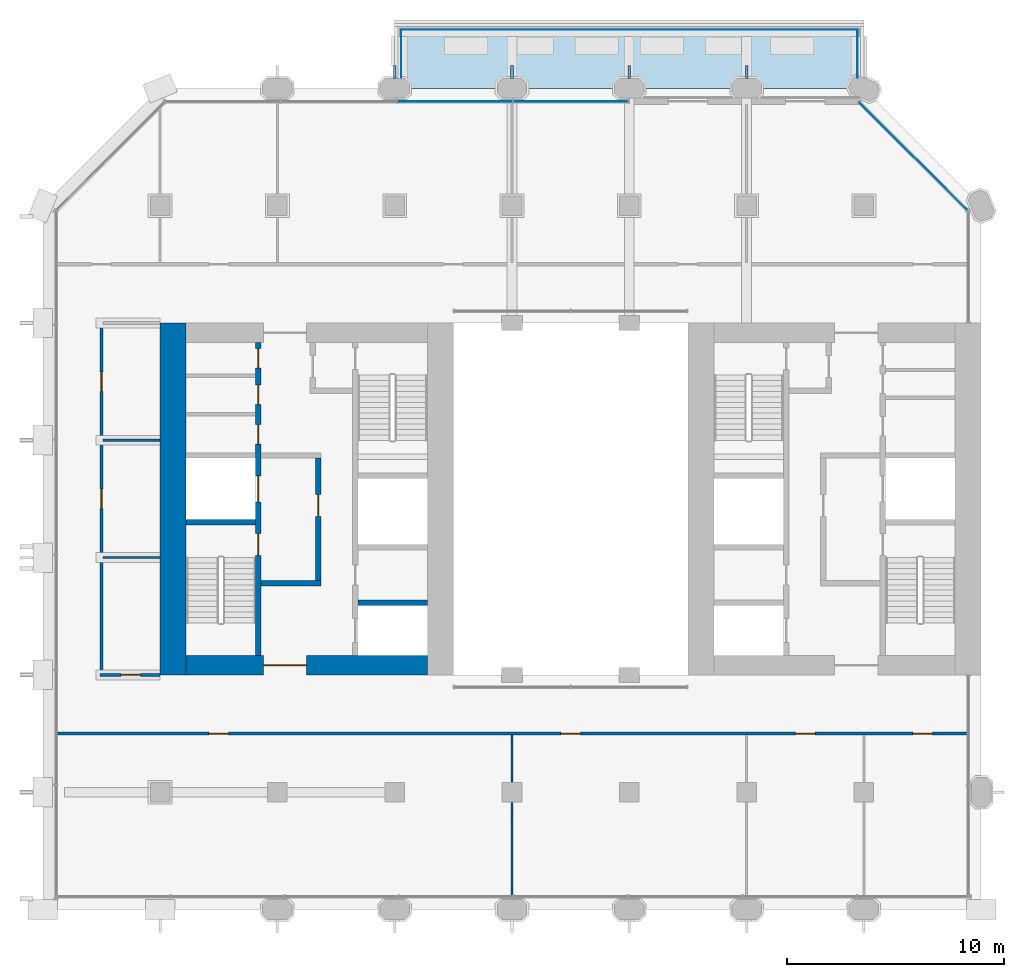
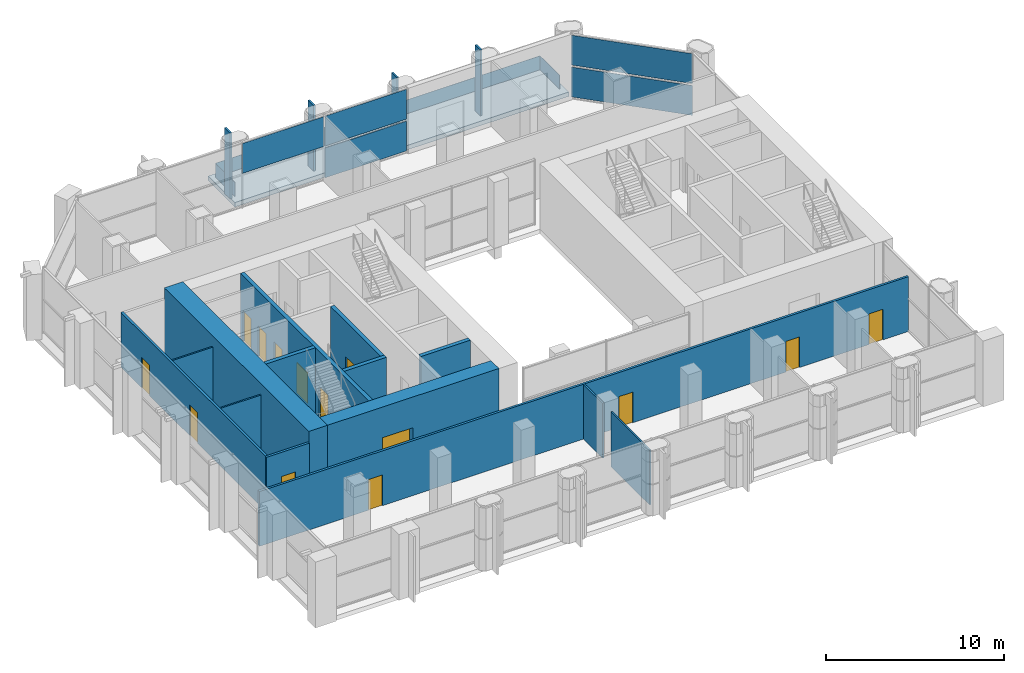
# One storey, part 10 of 15: 14 doors, 14 walls, 12 plates, 1 slab, 14 openings, 2 elements without a shape of their own.
"""IFC4 building model written with IfcOpenShell, lengths in metres."""

from ifc_helpers import new_model, si_unit, direction, frame, frame_2d, origin, origin_2d, place, context, subcontext, project, spatial, polyline, rectangle, outline, extrude, material, layer, layer_set, type_object, element, fill, aggregate, save


model = new_model("IFC4")

# Units and contexts
model_context = context("Model", 3, precision=1e-05, world=origin(), true_north=direction((0.0, 1.0)))
body_context = subcontext(model_context, "Body", "Model", "MODEL_VIEW")
ifc_project = project(units=[si_unit("LENGTHUNIT", "METRE"), si_unit("AREAUNIT", "SQUARE_METRE"), si_unit("VOLUMEUNIT", "CUBIC_METRE"), si_unit("PLANEANGLEUNIT", "RADIAN"), si_unit("MASSUNIT", "GRAM", prefix="KILO")], contexts=[model_context])

# Site, building, storey
site_placement = place(None, origin())
site = spatial("IfcSite", under=ifc_project, at=site_placement, CompositionType="ELEMENT")
building_placement = place(site_placement, origin())
building = spatial("IfcBuilding", under=site, at=building_placement, Name="Tabaq Tower and Sports Hall", CompositionType="ELEMENT")
storey_placement = place(building_placement, frame((0.0, 0.0, 148.0)))
storey = spatial("IfcBuildingStorey", under=building, at=storey_placement, Name="L34", CompositionType="ELEMENT", Elevation=148.0)

# Curtain wall, plates
ifc_material_1 = material(Name="Aluminium alloy 6063-T6 framed glazing", Category="aluminium")
curtain_wall_type = type_object("IfcCurtainWallType", Name="CW3 curtain wall", PredefinedType="USERDEFINED", material=ifc_material_1)
curtain_wall_1_placement = place(storey_placement, origin())
curtain_wall_1 = element("IfcCurtainWall", 1, at=curtain_wall_1_placement, inside=storey, type_object=curtain_wall_type, Name="Garden Floor Wall L34 NE", ObjectType="GARDEN FLOOR WALL", PredefinedType="USERDEFINED")
ifc_material_2 = material(Name="Clear low-emissivity glass 28 mm", Category="glass")
ifc_layer_1 = layer(ifc_material_2, 0.028076171875)
ifc_layer_set_1 = layer_set([ifc_layer_1], Name="CW3 glass panel 28")
plate_type_1 = type_object("IfcPlateType", Name="CW3 glass panel 28", PredefinedType="CURTAIN_PANEL", material=ifc_layer_set_1)
plate_1_placement = place(storey_placement, frame((40.07568359375, 40.07568359375, 0.139892578125), z_axis=(0.0, 0.0, 1.0), x_axis=(-0.707106781187, 0.707106781187, 0.0)))
plate_1 = element("IfcPlate", 2, at=plate_1_placement, type_object=plate_type_1, Name="CW3 panel 1.1", PredefinedType="CURTAIN_PANEL", context=body_context, shape_type="SweptSolid", body=[
    extrude(rectangle(XDim=7.019775390625, YDim=0.028076171875, at=origin_2d()), origin(), (0.0, 0.0, 1.0), 2.0400390625),
])
plate_2_placement = place(storey_placement, frame((40.07568359375, 40.07568359375, 2.320068359375), z_axis=(0.0, 0.0, 1.0), x_axis=(-0.707106781187, 0.707106781187, 0.0)))
plate_2 = element("IfcPlate", 3, at=plate_2_placement, type_object=plate_type_1, Name="CW3 panel 1.2", PredefinedType="CURTAIN_PANEL", context=body_context, shape_type="SweptSolid", body=[
    extrude(rectangle(XDim=7.019775390625, YDim=0.028076171875, at=origin_2d()), origin(), (0.0, 0.0, 1.0), 2.0400390625),
])
aggregate(curtain_wall_1, [plate_1, plate_2])

curtain_wall_2_placement = place(storey_placement, origin())
curtain_wall_2 = element("IfcCurtainWall", 4, at=curtain_wall_2_placement, inside=storey, type_object=curtain_wall_type, Name="Garden Floor Wall L34 N", ObjectType="GARDEN FLOOR WALL", PredefinedType="USERDEFINED")
plate_3_placement = place(storey_placement, frame((24.308349609375, 42.60009765625, 0.139892578125), z_axis=(0.0, 0.0, 1.0), x_axis=(-1.0, 0.0, 0.0)))
plate_3 = element("IfcPlate", 5, at=plate_3_placement, type_object=plate_type_1, Name="CW3 panel 1.1", PredefinedType="CURTAIN_PANEL", context=body_context, shape_type="SweptSolid", body=[
    extrude(rectangle(XDim=5.263427734375, YDim=0.028076171875, at=origin_2d()), origin(), (0.0, 0.0, 1.0), 2.0400390625),
])
plate_4_placement = place(storey_placement, frame((24.308349609375, 42.60009765625, 2.320068359375), z_axis=(0.0, 0.0, 1.0), x_axis=(-1.0, 0.0, 0.0)))
plate_4 = element("IfcPlate", 6, at=plate_4_placement, type_object=plate_type_1, Name="CW3 panel 1.2", PredefinedType="CURTAIN_PANEL", context=body_context, shape_type="SweptSolid", body=[
    extrude(rectangle(XDim=5.263427734375, YDim=0.028076171875, at=origin_2d()), origin(), (0.0, 0.0, 1.0), 2.0400390625),
])
plate_5_placement = place(storey_placement, frame((18.969970703125, 42.60009765625, 2.320068359375), z_axis=(0.0, 0.0, 1.0), x_axis=(-1.0, 0.0, 0.0)))
plate_5 = element("IfcPlate", 7, at=plate_5_placement, type_object=plate_type_1, Name="CW3 panel 2.2", PredefinedType="CURTAIN_PANEL", context=body_context, shape_type="SweptSolid", body=[
    extrude(rectangle(XDim=5.29345703125, YDim=0.028076171875, at=origin_2d()), origin(), (0.0, 0.0, 1.0), 2.0400390625),
])
aggregate(curtain_wall_2, [plate_3, plate_4, plate_5])

# Slab
ifc_material_3 = material(Name="Concrete C40/50", Category="concrete")
ifc_layer_2 = layer(ifc_material_3, 0.300048828125)
ifc_layer_set_2 = layer_set([ifc_layer_2], Name="Concrete C40/50 PT tray slab 300")
slab_type = type_object("IfcSlabType", Name="Concrete C40/50 PT tray slab 300", PredefinedType="FLOOR", material=ifc_layer_set_2)
slab_placement = place(storey_placement, frame((0.0, 0.0, -0.300048828125)))
element("IfcSlab", 8, at=slab_placement, inside=storey, type_object=slab_type, Name="Tray slab L34", PredefinedType="FLOOR", context=body_context, shape_type="SweptSolid", body=[
    extrude(outline(polyline([(37.800048828125, 43.199951171875), (16.199951171875, 43.199951171875), (16.199951171875, 46.199951171875), (37.800048828125, 46.199951171875), (37.800048828125, 43.199951171875)])), origin(), (0.0, 0.0, 1.0), 0.300048828125),
])

# Plates
ifc_material_4 = material(Name="Clear low-emissivity glass 28 mm", Category="glass")
ifc_layer_3 = layer(ifc_material_4, 0.02001953125)
ifc_layer_set_3 = layer_set([ifc_layer_3], Name="Laminated glass tray guard panel 20")
plate_type_2 = type_object("IfcPlateType", Name="Laminated glass tray guard panel 20", PredefinedType="USERDEFINED", material=ifc_layer_set_3)
plate_6_placement = place(storey_placement, frame((37.5, 43.699951171875, 0.0), z_axis=(0.0, 0.0, 1.0), x_axis=(0.0, 1.0, 0.0)))
element("IfcPlate", 9, at=plate_6_placement, inside=storey, type_object=plate_type_2, Name="Tray guard glass L34", ObjectType="GUARD GLASS", PredefinedType="USERDEFINED", context=body_context, shape_type="SweptSolid", body=[
    extrude(rectangle(XDim=2.199951171875, YDim=0.02001953125, at=frame_2d((1.10009765625, 0.0))), origin(), (0.0, 0.0, 1.0), 0.949951171875),
])
plate_7_placement = place(storey_placement, frame((37.5, 45.89990234375, 0.0), z_axis=(0.0, 0.0, 1.0), x_axis=(-1.0, 0.0, 0.0)))
element("IfcPlate", 10, at=plate_7_placement, inside=storey, type_object=plate_type_2, Name="Tray guard glass L34", ObjectType="GUARD GLASS", PredefinedType="USERDEFINED", context=body_context, shape_type="SweptSolid", body=[
    extrude(rectangle(XDim=21.0, YDim=0.02001953125, at=frame_2d((10.5, 0.0))), origin(), (0.0, 0.0, 1.0), 0.949951171875),
])
plate_8_placement = place(storey_placement, frame((16.5, 45.89990234375, 0.0), z_axis=(0.0, 0.0, 1.0), x_axis=(0.0, -1.0, 0.0)))
element("IfcPlate", 11, at=plate_8_placement, inside=storey, type_object=plate_type_2, Name="Tray guard glass L34", ObjectType="GUARD GLASS", PredefinedType="USERDEFINED", context=body_context, shape_type="SweptSolid", body=[
    extrude(rectangle(XDim=2.199951171875, YDim=0.02001953125, at=frame_2d((1.10009765625, 0.0))), origin(), (0.0, 0.0, 1.0), 0.949951171875),
])
ifc_material_5 = material(Name="White precast concrete C60/75 fin", Category="concrete")
ifc_layer_4 = layer(ifc_material_5, 0.1201171875)
ifc_layer_set_4 = layer_set([ifc_layer_4], Name="White precast concrete C60/75 fin 120")
plate_type_3 = type_object("IfcPlateType", Name="White precast concrete C60/75 fin 120", PredefinedType="USERDEFINED", material=ifc_layer_set_4)
for number, where, z_axis, x_axis, name in (
    (12, (32.39990234375, 43.949951171875, 0.0), (0.0, 0.0, 1.0), (-1.0, 0.0, 0.0), "Fin L34 N"),
    (13, (27.0, 43.949951171875, 0.0), (0.0, 0.0, 1.0), (-1.0, 0.0, 0.0), "Fin L34 N"),
    (14, (21.60009765625, 43.949951171875, 0.0), (0.0, 0.0, 1.0), (-1.0, 0.0, 0.0), "Fin L34 N"),
    (15, (16.199951171875, 43.949951171875, 0.0), (0.0, 0.0, 1.0), (-1.0, 0.0, 0.0), "Fin L34 N"),
):
    element("IfcPlate", number, at=place(storey_placement, frame(where, z_axis=z_axis, x_axis=x_axis)), inside=storey, type_object=plate_type_3, Name=name, ObjectType="FIN", PredefinedType="USERDEFINED", context=body_context, shape_type="SweptSolid", body=[
        extrude(rectangle(XDim=0.1201171875, YDim=0.60009765625, at=origin_2d()), origin(), (0.0, 0.0, 1.0), 4.5),
    ])

# Wall
ifc_material_6 = material(Name="Concrete C50/60", Category="concrete")
ifc_layer_5 = layer(ifc_material_6, 1.199951171875)
ifc_layer_set_5 = layer_set([ifc_layer_5], Name="Core wall 1200 Concrete C50/60")
wall_type_1 = type_object("IfcWallType", Name="Core wall 1200 Concrete C50/60", PredefinedType="SOLIDWALL", material=ifc_layer_set_5)
wall_1_placement = place(storey_placement, frame((6.0, 16.199951171875, 0.0), z_axis=(0.0, 0.0, 1.0), x_axis=(0.0, 1.0, 0.0)))
element("IfcWall", 16, at=wall_1_placement, inside=storey, type_object=wall_type_1, Name="Core wall W L34", PredefinedType="SOLIDWALL", context=body_context, shape_type="SweptSolid", body=[
    extrude(rectangle(XDim=16.199951171875, YDim=1.199951171875, at=frame_2d((8.10009765625, 0.0))), origin(), (0.0, 0.0, 1.0), 4.5),
])

# Wall, opening, door
ifc_material_7 = material(Name="Concrete C50/60", Category="concrete")
ifc_layer_6 = layer(ifc_material_7, 0.89990234375)
ifc_layer_set_6 = layer_set([ifc_layer_6], Name="Core wall 900 Concrete C50/60")
wall_type_2 = type_object("IfcWallType", Name="Core wall 900 Concrete C50/60", PredefinedType="SOLIDWALL", material=ifc_layer_set_6)
wall_2_placement = place(storey_placement, frame((17.699951171875, 16.64990234375, 0.0), z_axis=(0.0, 0.0, 1.0), x_axis=(-1.0, 0.0, 0.0)))
wall_2 = element("IfcWall", 17, at=wall_2_placement, inside=storey, type_object=wall_type_2, Name="Core wall W L34", PredefinedType="SOLIDWALL", context=body_context, shape_type="SweptSolid", body=[
    extrude(rectangle(XDim=11.099853515625, YDim=0.89990234375, at=frame_2d((5.5498046875, 0.0))), origin(), (0.0, 0.0, 1.0), 4.5),
])
opening_1_placement = place(wall_2_placement, frame((5.550048828125, 0.0, 0.0)))
opening_1 = element("IfcOpeningElement", 18, at=opening_1_placement, cuts=wall_2, Name="Opening PD-WL34-01", PredefinedType="OPENING", context=body_context, shape_type="SweptSolid", body=[
    extrude(rectangle(XDim=2.0, YDim=2.39990234375, at=frame_2d((1.0, 1.199951171875))), frame((0.0, 0.449951171875, 0.0), z_axis=(0.0, -1.0, 0.0), x_axis=(1.0, 0.0, 0.0)), (0.0, 0.0, 1.0), 0.89990234375),
])
ifc_material_8 = material(Name="Steel fire door", Category="steel")
door_type_1 = type_object("IfcDoorType", Name="Core entrance door 2000", OperationType="DOUBLE_DOOR_SINGLE_SWING", PredefinedType="DOOR", material=ifc_material_8)
door_1_placement = place(opening_1_placement, origin())
door_1 = element("IfcDoor", 19, at=door_1_placement, inside=storey, type_object=door_type_1, Name="Core entrance south W L34", OperationType="DOUBLE_DOOR_SINGLE_SWING", OverallHeight=2.39990234375, OverallWidth=2.0, PredefinedType="DOOR", context=body_context, shape_type="SweptSolid", body=[
    extrude(rectangle(XDim=2.0, YDim=2.39990234375, at=frame_2d((1.0, 1.199951171875))), frame((0.0, 0.02490234375, 0.0), z_axis=(0.0, -1.0, 0.0), x_axis=(1.0, 0.0, 0.0)), (0.0, 0.0, 1.0), 0.050048828125),
])
fill(opening_1, door_1)

# Walls
ifc_material_9 = material(Name="Gypsum board on steel studs", Category="steel")
ifc_layer_7 = layer(ifc_material_9, 0.10009765625)
ifc_layer_set_7 = layer_set([ifc_layer_7], Name="Partition 100 Gypsum board")
wall_type_3 = type_object("IfcWallType", Name="Partition 100 Gypsum board", PredefinedType="PARTITIONING", material=ifc_layer_set_7)
wall_3_placement = place(storey_placement, frame((21.60009765625, 6.0, 0.0), z_axis=(0.0, 0.0, 1.0), x_axis=(0.0, 1.0, 0.0)))
element("IfcWall", 20, at=wall_3_placement, inside=storey, type_object=wall_type_3, Name="Partition wall L34", PredefinedType="PARTITIONING", context=body_context, shape_type="SweptSolid", body=[
    extrude(rectangle(XDim=4.330078125, YDim=0.10009765625, at=frame_2d((2.1650390625, 0.0))), origin(), (0.0, 0.0, 1.0), 3.75),
])
wall_4_placement = place(storey_placement, frame((21.60009765625, 11.27001953125, 0.0), z_axis=(0.0, 0.0, 1.0), x_axis=(0.0, 1.0, 0.0)))
element("IfcWall", 21, at=wall_4_placement, inside=storey, type_object=wall_type_3, Name="Partition wall L34", PredefinedType="PARTITIONING", context=body_context, shape_type="SweptSolid", body=[
    extrude(rectangle(XDim=2.155029296875, YDim=0.10009765625, at=frame_2d((1.07763671875, 0.0))), origin(), (0.0, 0.0, 1.0), 3.75),
])
for number, where, z_axis, x_axis, name in (
    (22, (5.39990234375, 21.60009765625, 0.0), (0.0, 0.0, 1.0), (-1.0, 0.0, 0.0), "Partition wall L34"),
    (23, (5.39990234375, 27.0, 0.0), (0.0, 0.0, 1.0), (-1.0, 0.0, 0.0), "Partition wall L34"),
):
    element("IfcWall", number, at=place(storey_placement, frame(where, z_axis=z_axis, x_axis=x_axis)), inside=storey, type_object=wall_type_3, Name=name, PredefinedType="PARTITIONING", context=body_context, shape_type="SweptSolid", body=[
        extrude(rectangle(XDim=2.625, YDim=0.10009765625, at=frame_2d((1.3125, 0.0))), origin(), (0.0, 0.0, 1.0), 3.75),
    ])

# Wall, opening, door
ifc_material_10 = material(Name="Blockwork", Category="masonry")
ifc_layer_8 = layer(ifc_material_10, 0.14990234375)
ifc_layer_set_8 = layer_set([ifc_layer_8], Name="Separating wall 150 Blockwork")
wall_type_4 = type_object("IfcWallType", Name="Separating wall 150 Blockwork", PredefinedType="PARTITIONING", material=ifc_layer_set_8)
wall_5_placement = place(storey_placement, frame((5.39990234375, 16.199951171875, 0.0), z_axis=(0.0, 0.0, 1.0), x_axis=(-1.0, 0.0, 0.0)))
wall_5 = element("IfcWall", 24, at=wall_5_placement, inside=storey, type_object=wall_type_4, Name="Separating wall L34", PredefinedType="PARTITIONING", context=body_context, shape_type="SweptSolid", body=[
    extrude(rectangle(XDim=2.77490234375, YDim=0.14990234375, at=frame_2d((1.387451171875, 0.0))), origin(), (0.0, 0.0, 1.0), 3.75),
])
opening_2_placement = place(wall_5_placement, frame((0.89990234375, 0.0, 0.0)))
opening_2 = element("IfcOpeningElement", 25, at=opening_2_placement, cuts=wall_5, Name="Opening L34-010", PredefinedType="OPENING", context=body_context, shape_type="SweptSolid", body=[
    extrude(rectangle(XDim=0.89990234375, YDim=2.10009765625, at=frame_2d((0.449951171875, 1.050048828125))), frame((0.0, 0.074951171875, 0.0), z_axis=(0.0, -1.0, 0.0), x_axis=(1.0, 0.0, 0.0)), (0.0, 0.0, 1.0), 0.14990234375),
])
ifc_material_11 = material(Name="Timber leaf in steel frame", Category="steel")
door_type_2 = type_object("IfcDoorType", Name="Internal door 900 right hand", OperationType="SINGLE_SWING_RIGHT", PredefinedType="DOOR", material=ifc_material_11)
door_2_placement = place(opening_2_placement, origin())
door_2 = element("IfcDoor", 26, at=door_2_placement, inside=storey, type_object=door_type_2, Name="Internal door L34-010", OperationType="SINGLE_SWING_RIGHT", OverallHeight=2.10009765625, OverallWidth=0.89990234375, PredefinedType="DOOR", context=body_context, shape_type="SweptSolid", body=[
    extrude(rectangle(XDim=0.89990234375, YDim=2.10009765625, at=frame_2d((0.449951171875, 1.050048828125))), frame((0.0, 0.02490234375, 0.0), z_axis=(0.0, -1.0, 0.0), x_axis=(1.0, 0.0, 0.0)), (0.0, 0.0, 1.0), 0.050048828125),
])
fill(opening_2, door_2)

# Wall, openings, doors
wall_6_placement = place(storey_placement, frame((2.699951171875, 16.27490234375, 0.0), z_axis=(0.0, 0.0, 1.0), x_axis=(0.0, 1.0, 0.0)))
wall_6 = element("IfcWall", 27, at=wall_6_placement, inside=storey, type_object=wall_type_4, Name="Separating wall L34", PredefinedType="PARTITIONING", context=body_context, shape_type="SweptSolid", body=[
    extrude(rectangle(XDim=16.2001953125, YDim=0.14990234375, at=frame_2d((8.10009765625, 0.0))), origin(), (0.0, 0.0, 1.0), 3.75),
])
opening_3_placement = place(wall_6_placement, frame((7.574951171875, 0.0, 0.0)))
opening_3 = element("IfcOpeningElement", 28, at=opening_3_placement, cuts=wall_6, Name="Opening L34-011", PredefinedType="OPENING", context=body_context, shape_type="SweptSolid", body=[
    extrude(rectangle(XDim=0.89990234375, YDim=2.10009765625, at=frame_2d((0.449951171875, 1.050048828125))), frame((0.0, 0.074951171875, 0.0), z_axis=(0.0, -1.0, 0.0), x_axis=(1.0, 0.0, 0.0)), (0.0, 0.0, 1.0), 0.14990234375),
])
opening_4_placement = place(wall_6_placement, frame((12.97509765625, 0.0, 0.0)))
opening_4 = element("IfcOpeningElement", 29, at=opening_4_placement, cuts=wall_6, Name="Opening L34-012", PredefinedType="OPENING", context=body_context, shape_type="SweptSolid", body=[
    extrude(rectangle(XDim=0.89990234375, YDim=2.10009765625, at=frame_2d((0.449951171875, 1.050048828125))), frame((0.0, 0.074951171875, 0.0), z_axis=(0.0, -1.0, 0.0), x_axis=(1.0, 0.0, 0.0)), (0.0, 0.0, 1.0), 0.14990234375),
])
door_3_placement = place(opening_3_placement, origin())
door_3 = element("IfcDoor", 30, at=door_3_placement, inside=storey, type_object=door_type_2, Name="Internal door L34-011", OperationType="SINGLE_SWING_RIGHT", OverallHeight=2.10009765625, OverallWidth=0.89990234375, PredefinedType="DOOR", context=body_context, shape_type="SweptSolid", body=[
    extrude(rectangle(XDim=0.89990234375, YDim=2.10009765625, at=frame_2d((0.449951171875, 1.050048828125))), frame((0.0, 0.02490234375, 0.0), z_axis=(0.0, -1.0, 0.0), x_axis=(1.0, 0.0, 0.0)), (0.0, 0.0, 1.0), 0.050048828125),
])
fill(opening_3, door_3)
door_4_placement = place(opening_4_placement, origin())
door_4 = element("IfcDoor", 31, at=door_4_placement, inside=storey, type_object=door_type_2, Name="Internal door L34-012", OperationType="SINGLE_SWING_RIGHT", OverallHeight=2.10009765625, OverallWidth=0.89990234375, PredefinedType="DOOR", context=body_context, shape_type="SweptSolid", body=[
    extrude(rectangle(XDim=0.89990234375, YDim=2.10009765625, at=frame_2d((0.449951171875, 1.050048828125))), frame((0.0, 0.02490234375, 0.0), z_axis=(0.0, -1.0, 0.0), x_axis=(1.0, 0.0, 0.0)), (0.0, 0.0, 1.0), 0.050048828125),
])
fill(opening_4, door_4)

wall_7_placement = place(storey_placement, frame((0.60009765625, 13.5, 0.0), z_axis=(0.0, 0.0, 1.0), x_axis=(1.0, 0.0, 0.0)))
wall_7 = element("IfcWall", 32, at=wall_7_placement, inside=storey, type_object=wall_type_4, Name="Separating wall L34", PredefinedType="PARTITIONING", context=body_context, shape_type="SweptSolid", body=[
    extrude(rectangle(XDim=42.0, YDim=0.14990234375, at=frame_2d((21.0, 0.0))), origin(), (0.0, 0.0, 1.0), 3.75),
])
opening_5_placement = place(wall_7_placement, frame((7.050048828125, 0.0, 0.0)))
opening_5 = element("IfcOpeningElement", 33, at=opening_5_placement, cuts=wall_7, Name="Opening L34-006", PredefinedType="OPENING", context=body_context, shape_type="SweptSolid", body=[
    extrude(rectangle(XDim=0.89990234375, YDim=2.10009765625, at=frame_2d((0.449951171875, 1.050048828125))), frame((0.0, 0.074951171875, 0.0), z_axis=(0.0, -1.0, 0.0), x_axis=(1.0, 0.0, 0.0)), (0.0, 0.0, 1.0), 0.14990234375),
])
opening_6_placement = place(wall_7_placement, frame((23.25, 0.0, 0.0)))
opening_6 = element("IfcOpeningElement", 34, at=opening_6_placement, cuts=wall_7, Name="Opening L34-007", PredefinedType="OPENING", context=body_context, shape_type="SweptSolid", body=[
    extrude(rectangle(XDim=0.89990234375, YDim=2.10009765625, at=frame_2d((0.449951171875, 1.050048828125))), frame((0.0, 0.074951171875, 0.0), z_axis=(0.0, -1.0, 0.0), x_axis=(1.0, 0.0, 0.0)), (0.0, 0.0, 1.0), 0.14990234375),
])
opening_7_placement = place(wall_7_placement, frame((34.050048828125, 0.0, 0.0)))
opening_7 = element("IfcOpeningElement", 35, at=opening_7_placement, cuts=wall_7, Name="Opening L34-008", PredefinedType="OPENING", context=body_context, shape_type="SweptSolid", body=[
    extrude(rectangle(XDim=0.89990234375, YDim=2.10009765625, at=frame_2d((0.449951171875, 1.050048828125))), frame((0.0, 0.074951171875, 0.0), z_axis=(0.0, -1.0, 0.0), x_axis=(1.0, 0.0, 0.0)), (0.0, 0.0, 1.0), 0.14990234375),
])
opening_8_placement = place(wall_7_placement, frame((39.449951171875, 0.0, 0.0)))
opening_8 = element("IfcOpeningElement", 36, at=opening_8_placement, cuts=wall_7, Name="Opening L34-009", PredefinedType="OPENING", context=body_context, shape_type="SweptSolid", body=[
    extrude(rectangle(XDim=0.89990234375, YDim=2.10009765625, at=frame_2d((0.449951171875, 1.050048828125))), frame((0.0, 0.074951171875, 0.0), z_axis=(0.0, -1.0, 0.0), x_axis=(1.0, 0.0, 0.0)), (0.0, 0.0, 1.0), 0.14990234375),
])
ifc_material_12 = material(Name="Timber leaf in steel frame", Category="steel")
door_type_3 = type_object("IfcDoorType", Name="Internal door 900 left hand", OperationType="SINGLE_SWING_LEFT", PredefinedType="DOOR", material=ifc_material_12)
door_5_placement = place(opening_8_placement, origin())
door_5 = element("IfcDoor", 37, at=door_5_placement, inside=storey, type_object=door_type_3, Name="Internal door L34-009", OperationType="SINGLE_SWING_LEFT", OverallHeight=2.10009765625, OverallWidth=0.89990234375, PredefinedType="DOOR", context=body_context, shape_type="SweptSolid", body=[
    extrude(rectangle(XDim=0.89990234375, YDim=2.10009765625, at=frame_2d((0.449951171875, 1.050048828125))), frame((0.0, 0.02490234375, 0.0), z_axis=(0.0, -1.0, 0.0), x_axis=(1.0, 0.0, 0.0)), (0.0, 0.0, 1.0), 0.050048828125),
])
fill(opening_8, door_5)
door_6_placement = place(opening_5_placement, origin())
door_6 = element("IfcDoor", 38, at=door_6_placement, inside=storey, type_object=door_type_2, Name="Internal door L34-006", OperationType="SINGLE_SWING_RIGHT", OverallHeight=2.10009765625, OverallWidth=0.89990234375, PredefinedType="DOOR", context=body_context, shape_type="SweptSolid", body=[
    extrude(rectangle(XDim=0.89990234375, YDim=2.10009765625, at=frame_2d((0.449951171875, 1.050048828125))), frame((0.0, 0.02490234375, 0.0), z_axis=(0.0, -1.0, 0.0), x_axis=(1.0, 0.0, 0.0)), (0.0, 0.0, 1.0), 0.050048828125),
])
fill(opening_5, door_6)
door_7_placement = place(opening_6_placement, origin())
door_7 = element("IfcDoor", 39, at=door_7_placement, inside=storey, type_object=door_type_2, Name="Internal door L34-007", OperationType="SINGLE_SWING_RIGHT", OverallHeight=2.10009765625, OverallWidth=0.89990234375, PredefinedType="DOOR", context=body_context, shape_type="SweptSolid", body=[
    extrude(rectangle(XDim=0.89990234375, YDim=2.10009765625, at=frame_2d((0.449951171875, 1.050048828125))), frame((0.0, 0.02490234375, 0.0), z_axis=(0.0, -1.0, 0.0), x_axis=(1.0, 0.0, 0.0)), (0.0, 0.0, 1.0), 0.050048828125),
])
fill(opening_6, door_7)
door_8_placement = place(opening_7_placement, origin())
door_8 = element("IfcDoor", 40, at=door_8_placement, inside=storey, type_object=door_type_2, Name="Internal door L34-008", OperationType="SINGLE_SWING_RIGHT", OverallHeight=2.10009765625, OverallWidth=0.89990234375, PredefinedType="DOOR", context=body_context, shape_type="SweptSolid", body=[
    extrude(rectangle(XDim=0.89990234375, YDim=2.10009765625, at=frame_2d((0.449951171875, 1.050048828125))), frame((0.0, 0.02490234375, 0.0), z_axis=(0.0, -1.0, 0.0), x_axis=(1.0, 0.0, 0.0)), (0.0, 0.0, 1.0), 0.050048828125),
])
fill(opening_7, door_8)

ifc_material_13 = material(Name="Concrete C40/50", Category="concrete")
ifc_layer_9 = layer(ifc_material_13, 0.25)
ifc_layer_set_9 = layer_set([ifc_layer_9], Name="Shaft and stair wall 250 Concrete C40/50")
wall_type_5 = type_object("IfcWallType", Name="Shaft and stair wall 250 Concrete C40/50", PredefinedType="SOLIDWALL", material=ifc_layer_set_9)
wall_8_placement = place(storey_placement, frame((9.925048828125, 17.10009765625, 0.0), z_axis=(0.0, 0.0, 1.0), x_axis=(0.0, 1.0, 0.0)))
wall_8 = element("IfcWall", 41, at=wall_8_placement, inside=storey, type_object=wall_type_5, Name="Shaft wall W L34", PredefinedType="SOLIDWALL", context=body_context, shape_type="SweptSolid", body=[
    extrude(rectangle(XDim=14.39990234375, YDim=0.25, at=frame_2d((7.199951171875, 0.0))), origin(), (0.0, 0.0, 1.0), 4.5),
])
opening_9_placement = place(wall_8_placement, frame((4.60009765625, 0.0, 0.0)))
opening_9 = element("IfcOpeningElement", 42, at=opening_9_placement, cuts=wall_8, Name="Opening SD-WL34-03", PredefinedType="OPENING", context=body_context, shape_type="SweptSolid", body=[
    extrude(rectangle(XDim=1.0, YDim=2.10009765625, at=frame_2d((0.5, 1.050048828125))), frame((0.0, 0.125, 0.0), z_axis=(0.0, -1.0, 0.0), x_axis=(1.0, 0.0, 0.0)), (0.0, 0.0, 1.0), 0.25),
])
opening_10_placement = place(wall_8_placement, frame((7.0625, 0.0, 0.0)))
opening_10 = element("IfcOpeningElement", 43, at=opening_10_placement, cuts=wall_8, Name="Opening LD-FF1-L34", PredefinedType="OPENING", context=body_context, shape_type="SweptSolid", body=[
    extrude(rectangle(XDim=1.199951171875, YDim=2.10009765625, at=frame_2d((0.60009765625, 1.050048828125))), frame((0.0, 0.125, 0.0), z_axis=(0.0, -1.0, 0.0), x_axis=(1.0, 0.0, 0.0)), (0.0, 0.0, 1.0), 0.25),
])
opening_11_placement = place(wall_8_placement, frame((9.7255859375, 0.0, 0.0)))
opening_11 = element("IfcOpeningElement", 44, at=opening_11_placement, cuts=wall_8, Name="Opening RD-WL34-09", PredefinedType="OPENING", context=body_context, shape_type="SweptSolid", body=[
    extrude(rectangle(XDim=0.89990234375, YDim=2.10009765625, at=frame_2d((0.449951171875, 1.050048828125))), frame((0.0, 0.125, 0.0), z_axis=(0.0, -1.0, 0.0), x_axis=(1.0, 0.0, 0.0)), (0.0, 0.0, 1.0), 0.25),
])
opening_12_placement = place(wall_8_placement, frame((11.5390625, 0.0, 0.0)))
opening_12 = element("IfcOpeningElement", 45, at=opening_12_placement, cuts=wall_8, Name="Opening RD-WL34-10", PredefinedType="OPENING", context=body_context, shape_type="SweptSolid", body=[
    extrude(rectangle(XDim=0.89990234375, YDim=2.10009765625, at=frame_2d((0.449951171875, 1.050048828125))), frame((0.0, 0.125, 0.0), z_axis=(0.0, -1.0, 0.0), x_axis=(1.0, 0.0, 0.0)), (0.0, 0.0, 1.0), 0.25),
])
opening_13_placement = place(wall_8_placement, frame((13.22607421875, 0.0, 0.0)))
opening_13 = element("IfcOpeningElement", 46, at=opening_13_placement, cuts=wall_8, Name="Opening RD-WL34-11", PredefinedType="OPENING", context=body_context, shape_type="SweptSolid", body=[
    extrude(rectangle(XDim=0.89990234375, YDim=2.10009765625, at=frame_2d((0.449951171875, 1.050048828125))), frame((0.0, 0.125, 0.0), z_axis=(0.0, -1.0, 0.0), x_axis=(1.0, 0.0, 0.0)), (0.0, 0.0, 1.0), 0.25),
])
ifc_material_14 = material(Name="Steel fire door", Category="steel")
door_type_4 = type_object("IfcDoorType", Name="Core room door 900", OperationType="SINGLE_SWING_LEFT", PredefinedType="DOOR", material=ifc_material_14)
door_9_placement = place(opening_11_placement, origin())
door_9 = element("IfcDoor", 47, at=door_9_placement, inside=storey, type_object=door_type_4, Name="Door Accessible WC W L34", OperationType="SINGLE_SWING_LEFT", OverallHeight=2.10009765625, OverallWidth=0.89990234375, PredefinedType="DOOR", context=body_context, shape_type="SweptSolid", body=[
    extrude(rectangle(XDim=0.89990234375, YDim=2.10009765625, at=frame_2d((0.449951171875, 1.050048828125))), frame((0.0, 0.02490234375, 0.0), z_axis=(0.0, -1.0, 0.0), x_axis=(1.0, 0.0, 0.0)), (0.0, 0.0, 1.0), 0.050048828125),
])
fill(opening_11, door_9)
door_10_placement = place(opening_12_placement, origin())
door_10 = element("IfcDoor", 48, at=door_10_placement, inside=storey, type_object=door_type_4, Name="Door Unisex WC W L34", OperationType="SINGLE_SWING_LEFT", OverallHeight=2.10009765625, OverallWidth=0.89990234375, PredefinedType="DOOR", context=body_context, shape_type="SweptSolid", body=[
    extrude(rectangle(XDim=0.89990234375, YDim=2.10009765625, at=frame_2d((0.449951171875, 1.050048828125))), frame((0.0, 0.02490234375, 0.0), z_axis=(0.0, -1.0, 0.0), x_axis=(1.0, 0.0, 0.0)), (0.0, 0.0, 1.0), 0.050048828125),
])
fill(opening_12, door_10)
door_11_placement = place(opening_13_placement, origin())
door_11 = element("IfcDoor", 49, at=door_11_placement, inside=storey, type_object=door_type_4, Name="Door Cleaner's Store W L34", OperationType="SINGLE_SWING_LEFT", OverallHeight=2.10009765625, OverallWidth=0.89990234375, PredefinedType="DOOR", context=body_context, shape_type="SweptSolid", body=[
    extrude(rectangle(XDim=0.89990234375, YDim=2.10009765625, at=frame_2d((0.449951171875, 1.050048828125))), frame((0.0, 0.02490234375, 0.0), z_axis=(0.0, -1.0, 0.0), x_axis=(1.0, 0.0, 0.0)), (0.0, 0.0, 1.0), 0.050048828125),
])
fill(opening_13, door_11)
ifc_material_15 = material(Name="Stainless steel", Category="steel")
door_type_5 = type_object("IfcDoorType", Name="Lift landing door 1200", OperationType="DOUBLE_DOOR_SLIDING", PredefinedType="DOOR", material=ifc_material_15)
door_12_placement = place(opening_10_placement, origin())
door_12 = element("IfcDoor", 50, at=door_12_placement, inside=storey, type_object=door_type_5, Name="Lift landing door FF1 W L34", OperationType="DOUBLE_DOOR_SLIDING", OverallHeight=2.10009765625, OverallWidth=1.199951171875, PredefinedType="DOOR", context=body_context, shape_type="SweptSolid", body=[
    extrude(rectangle(XDim=1.199951171875, YDim=2.10009765625, at=frame_2d((0.60009765625, 1.050048828125))), frame((0.0, 0.02490234375, 0.0), z_axis=(0.0, -1.0, 0.0), x_axis=(1.0, 0.0, 0.0)), (0.0, 0.0, 1.0), 0.050048828125),
])
fill(opening_10, door_12)
ifc_material_16 = material(Name="Steel fire door", Category="steel")
door_type_6 = type_object("IfcDoorType", Name="Stair door 1000", OperationType="SINGLE_SWING_LEFT", PredefinedType="DOOR", material=ifc_material_16)
door_13_placement = place(opening_9_placement, origin())
door_13 = element("IfcDoor", 51, at=door_13_placement, inside=storey, type_object=door_type_6, Name="Stair door ST1 W L34", OperationType="SINGLE_SWING_LEFT", OverallHeight=2.10009765625, OverallWidth=1.0, PredefinedType="DOOR", context=body_context, shape_type="SweptSolid", body=[
    extrude(rectangle(XDim=1.0, YDim=2.10009765625, at=frame_2d((0.5, 1.050048828125))), frame((0.0, 0.02490234375, 0.0), z_axis=(0.0, -1.0, 0.0), x_axis=(1.0, 0.0, 0.0)), (0.0, 0.0, 1.0), 0.050048828125),
])
fill(opening_9, door_13)

# Walls
wall_9_placement = place(storey_placement, frame((6.60009765625, 23.22509765625, 0.0), z_axis=(0.0, 0.0, 1.0), x_axis=(1.0, 0.0, 0.0)))
element("IfcWall", 52, at=wall_9_placement, inside=storey, type_object=wall_type_5, Name="Stair enclosure wall W L34", PredefinedType="SOLIDWALL", context=body_context, shape_type="SweptSolid", body=[
    extrude(rectangle(XDim=3.199951171875, YDim=0.25, at=frame_2d((1.60009765625, 0.0))), origin(), (0.0, 0.0, 1.0), 4.5),
])
wall_10_placement = place(storey_placement, frame((10.050048828125, 20.425048828125, 0.0), z_axis=(0.0, 0.0, 1.0), x_axis=(1.0, 0.0, 0.0)))
element("IfcWall", 53, at=wall_10_placement, inside=storey, type_object=wall_type_5, Name="Fire-fighting lobby wall W L34", PredefinedType="SOLIDWALL", context=body_context, shape_type="SweptSolid", body=[
    extrude(rectangle(XDim=2.75, YDim=0.25, at=frame_2d((1.375, 0.0))), origin(), (0.0, 0.0, 1.0), 4.5),
])

# Wall, opening, door
wall_11_placement = place(storey_placement, frame((12.675048828125, 20.550048828125, 0.0), z_axis=(0.0, 0.0, 1.0), x_axis=(0.0, 1.0, 0.0)))
wall_11 = element("IfcWall", 54, at=wall_11_placement, inside=storey, type_object=wall_type_5, Name="Fire-fighting lobby wall W L34", PredefinedType="SOLIDWALL", context=body_context, shape_type="SweptSolid", body=[
    extrude(rectangle(XDim=5.625, YDim=0.25, at=frame_2d((2.8125, 0.0))), origin(), (0.0, 0.0, 1.0), 4.5),
])
opening_14_placement = place(wall_11_placement, frame((2.949951171875, 0.0, 0.0)))
opening_14 = element("IfcOpeningElement", 55, at=opening_14_placement, cuts=wall_11, Name="Opening FD-WL34-04", PredefinedType="OPENING", context=body_context, shape_type="SweptSolid", body=[
    extrude(rectangle(XDim=1.0, YDim=2.10009765625, at=frame_2d((0.5, 1.050048828125))), frame((0.0, 0.125, 0.0), z_axis=(0.0, -1.0, 0.0), x_axis=(1.0, 0.0, 0.0)), (0.0, 0.0, 1.0), 0.25),
])
ifc_material_17 = material(Name="Steel fire door", Category="steel")
door_type_7 = type_object("IfcDoorType", Name="Fire-fighting lobby door 1000", OperationType="SINGLE_SWING_LEFT", PredefinedType="DOOR", material=ifc_material_17)
door_14_placement = place(opening_14_placement, origin())
door_14 = element("IfcDoor", 56, at=door_14_placement, inside=storey, type_object=door_type_7, Name="Fire-fighting lobby door W L34", OperationType="SINGLE_SWING_LEFT", OverallHeight=2.10009765625, OverallWidth=1.0, PredefinedType="DOOR", context=body_context, shape_type="SweptSolid", body=[
    extrude(rectangle(XDim=1.0, YDim=2.10009765625, at=frame_2d((0.5, 1.050048828125))), frame((0.0, 0.02490234375, 0.0), z_axis=(0.0, -1.0, 0.0), x_axis=(1.0, 0.0, 0.0)), (0.0, 0.0, 1.0), 0.050048828125),
])
fill(opening_14, door_14)

# Wall
wall_12_placement = place(storey_placement, frame((14.5, 19.52490234375, 0.0), z_axis=(0.0, 0.0, 1.0), x_axis=(1.0, 0.0, 0.0)))
element("IfcWall", 57, at=wall_12_placement, inside=storey, type_object=wall_type_5, Name="Shaft wall W L34", PredefinedType="SOLIDWALL", context=body_context, shape_type="SweptSolid", body=[
    extrude(rectangle(XDim=3.199951171875, YDim=0.25, at=frame_2d((1.60009765625, 0.0))), origin(), (0.0, 0.0, 1.0), 4.5),
])

save(model, "model.ifc")
